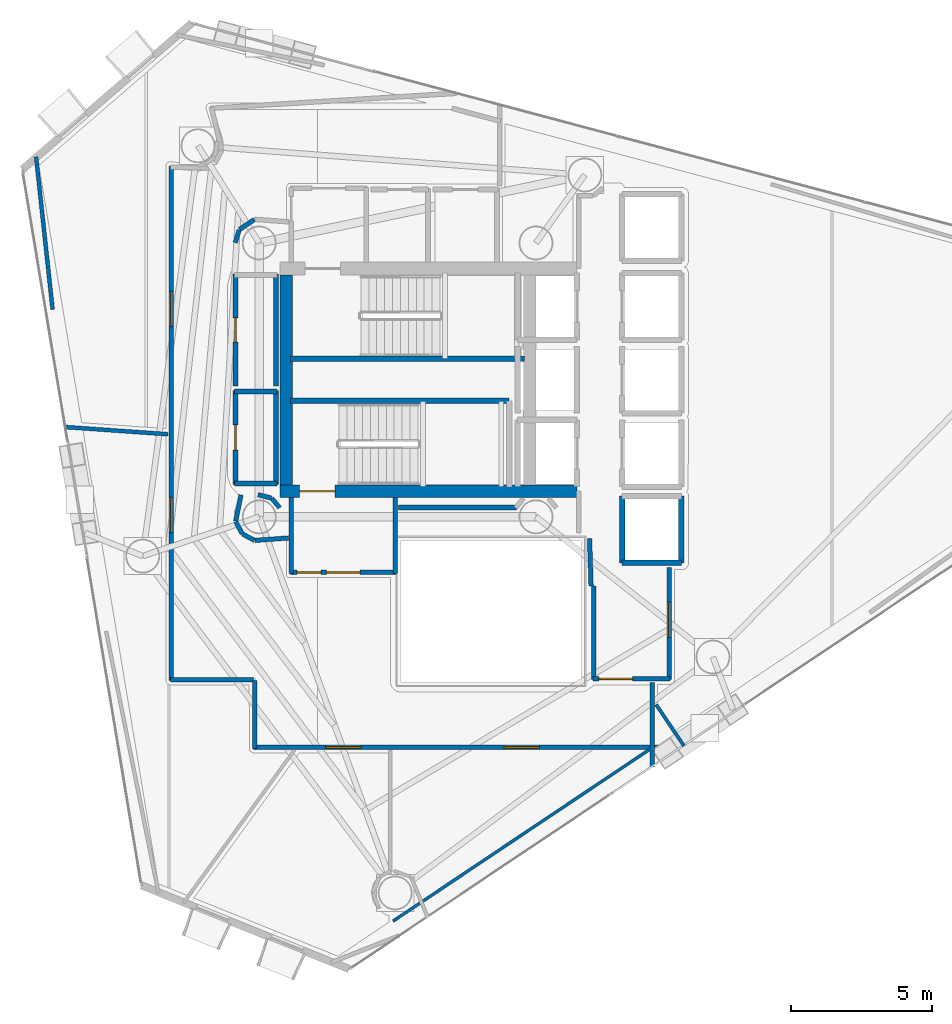
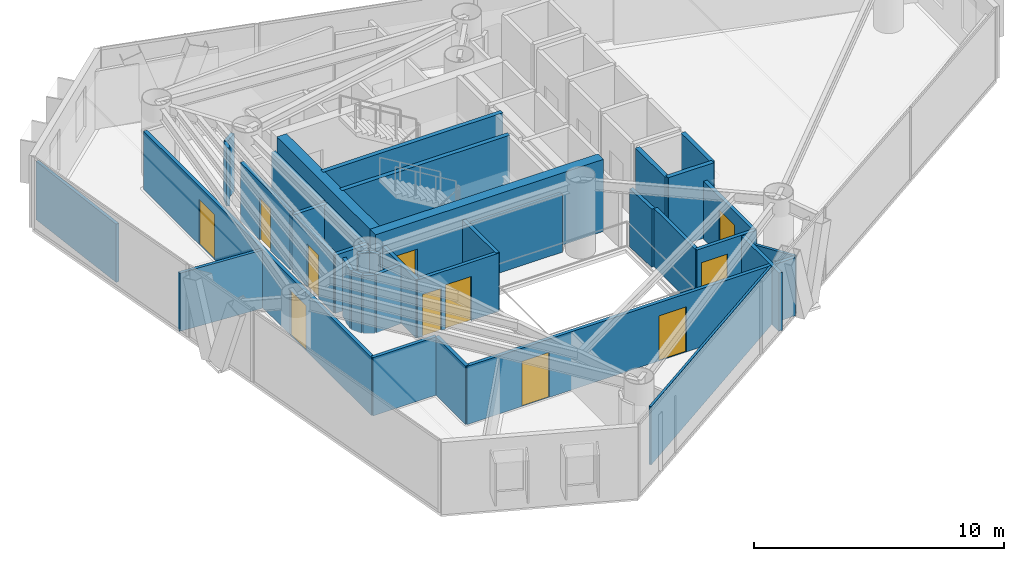
# One storey, part 16 of 21: 38 walls, 11 doors, 11 openings.
"""IFC4 building model written with IfcOpenShell, lengths in metres."""

from ifc_helpers import new_model, si_unit, direction, frame, frame_2d, origin, place, context, subcontext, project, spatial, rectangle, extrude, material, layer, layer_set, type_object, element, fill, save


model = new_model("IFC4")

# Units and contexts
model_context = context("Model", 3, precision=1e-05, world=origin(), true_north=direction((0.0, 1.0)))
body_context = subcontext(model_context, "Body", "Model", "MODEL_VIEW")
ifc_project = project(units=[si_unit("LENGTHUNIT", "METRE"), si_unit("AREAUNIT", "SQUARE_METRE"), si_unit("VOLUMEUNIT", "CUBIC_METRE"), si_unit("PLANEANGLEUNIT", "RADIAN"), si_unit("MASSUNIT", "GRAM", prefix="KILO")], contexts=[model_context])

# Site, building, storey
site_placement = place(None, origin())
site = spatial("IfcSite", under=ifc_project, at=site_placement, CompositionType="ELEMENT")
building_placement = place(site_placement, origin())
building = spatial("IfcBuilding", under=site, at=building_placement, Name="Qianvela Tower", CompositionType="ELEMENT")
storey_placement = place(building_placement, frame((0.0, 0.0, 189.199951171875)))
storey = spatial("IfcBuildingStorey", under=building, at=storey_placement, Name="L48", CompositionType="ELEMENT", Elevation=189.199951171875)

# Wall, opening, door
ifc_material_1 = material(Name="Concrete C50", Category="concrete")
ifc_layer_1 = layer(ifc_material_1, 0.449951171875)
ifc_layer_set_1 = layer_set([ifc_layer_1], Name="Concrete C50")
wall_type_1 = type_object("IfcWallType", Name="WT-CORE-450", PredefinedType="SHEAR", material=ifc_layer_set_1)
wall_1_placement = place(storey_placement, frame((29.330078125, 24.7548828125, 0.0), z_axis=(0.0, 0.0, 1.0), x_axis=(1.0, 0.0, 0.0)))
wall_1 = element("IfcWall", 1, at=wall_1_placement, inside=storey, type_object=wall_type_1, Name="L48 South Core Shear Wall", PredefinedType="SHEAR", context=body_context, shape_type="SweptSolid", body=[
    extrude(rectangle(XDim=10.52001953125, YDim=0.449951171875, at=frame_2d((5.260009765625, 0.0))), origin(), (0.0, 0.0, 1.0), 3.52001953125),
])
opening_1_placement = place(wall_1_placement, frame((0.695068359375, 0.0, 0.0)))
opening_1 = element("IfcOpeningElement", 2, at=opening_1_placement, cuts=wall_1, Name="Opening D-ST1", PredefinedType="OPENING", context=body_context, shape_type="SweptSolid", body=[
    extrude(rectangle(XDim=1.25, YDim=2.14990234375, at=frame_2d((0.625, 1.074951171875))), frame((0.0, 0.23486328125, 0.0), z_axis=(0.0, -1.0, 0.0), x_axis=(1.0, 0.0, 0.0)), (0.0, 0.0, 1.0), 0.469970703125),
])
ifc_material_2 = material(Name="Galvanised Fire Steel Q355B", Category="steel")
door_type_1 = type_object("IfcDoorType", Name="DT-STAIR-FD90", OperationType="NOTDEFINED", PredefinedType="DOOR", material=ifc_material_2)
door_1_placement = place(opening_1_placement, origin())
door_1 = element("IfcDoor", 3, at=door_1_placement, inside=storey, type_object=door_type_1, Name="L48 Stair ST-2 Exit Door", OperationType="SINGLE_SWING_RIGHT", OverallHeight=2.14990234375, OverallWidth=1.25, PredefinedType="DOOR", context=body_context, shape_type="SweptSolid", body=[
    extrude(rectangle(XDim=1.25, YDim=2.14990234375, at=frame_2d((0.625, 1.074951171875))), frame((0.0, 0.02490234375, 0.0), z_axis=(0.0, -1.0, 0.0), x_axis=(1.0, 0.0, 0.0)), (0.0, 0.0, 1.0), 0.050048828125),
])
fill(opening_1, door_1)

# Wall
wall_2_placement = place(storey_placement, frame((29.554931640625, 24.97998046875, 0.0), z_axis=(0.0, 0.0, 1.0), x_axis=(0.0, 1.0, 0.0)))
element("IfcWall", 4, at=wall_2_placement, inside=storey, type_object=wall_type_1, Name="L48 West Core Shear Wall", PredefinedType="SHEAR", context=body_context, shape_type="SweptSolid", body=[
    extrude(rectangle(XDim=7.43994140625, YDim=0.449951171875, at=frame_2d((3.719970703125, 0.0))), origin(), (0.0, 0.0, 1.0), 3.52001953125),
])

# Wall, openings, doors
ifc_material_3 = material(Name="Fire-Rated Gypsum and Concrete Block", Category="concrete")
ifc_layer_2 = layer(ifc_material_3, 0.159912109375)
ifc_layer_set_2 = layer_set([ifc_layer_2], Name="Fire-Rated Gypsum and Concrete Block")
wall_type_2 = type_object("IfcWallType", Name="WT-CORR-160", PredefinedType="PARTITIONING", material=ifc_layer_set_2)
wall_3_placement = place(storey_placement, frame((33.449951171875, 21.881103515625, 0.0), z_axis=(0.0, 0.0, 1.0), x_axis=(-1.0, 0.0, 0.0)))
wall_3 = element("IfcWall", 5, at=wall_3_placement, inside=storey, type_object=wall_type_2, Name="L48 Partition 5", PredefinedType="PARTITIONING", context=body_context, shape_type="SweptSolid", body=[
    extrude(rectangle(XDim=3.75, YDim=0.159912109375, at=frame_2d((1.875, 0.0))), origin(), (0.0, 0.0, 1.0), 2.840087890625),
])
opening_2_placement = place(wall_3_placement, frame((1.27490234375, 0.0, 0.0)))
opening_2 = element("IfcOpeningElement", 6, at=opening_2_placement, cuts=wall_3, Name="Opening D-LB1", PredefinedType="OPENING", context=body_context, shape_type="SweptSolid", body=[
    extrude(rectangle(XDim=1.199951171875, YDim=2.14990234375, at=frame_2d((0.60009765625, 1.074951171875))), frame((0.0, 0.08984375, 0.0), z_axis=(0.0, -1.0, 0.0), x_axis=(1.0, 0.0, 0.0)), (0.0, 0.0, 1.0), 0.179931640625),
])
opening_3_placement = place(wall_3_placement, frame((2.659912109375, 0.0, 0.0)))
opening_3 = element("IfcOpeningElement", 7, at=opening_3_placement, cuts=wall_3, Name="Opening D-LB2", PredefinedType="OPENING", context=body_context, shape_type="SweptSolid", body=[
    extrude(rectangle(XDim=0.860107421875, YDim=2.050048828125, at=frame_2d((0.43017578125, 1.02490234375))), frame((0.0, 0.08984375, 0.0), z_axis=(0.0, -1.0, 0.0), x_axis=(1.0, 0.0, 0.0)), (0.0, 0.0, 1.0), 0.179931640625),
])
ifc_material_4 = material(Name="Glazed Fire-Rated Steel Frame", Category="steel")
door_type_2 = type_object("IfcDoorType", Name="DT-LOBBY-FD90", OperationType="NOTDEFINED", PredefinedType="DOOR", material=ifc_material_4)
door_2_placement = place(opening_2_placement, origin())
door_2 = element("IfcDoor", 8, at=door_2_placement, inside=storey, type_object=door_type_2, Name="L48 Door L48 Firefighting Lobby South to L48 Floor Corridor", OperationType="SINGLE_SWING_LEFT", OverallHeight=2.14990234375, OverallWidth=1.199951171875, PredefinedType="DOOR", context=body_context, shape_type="SweptSolid", body=[
    extrude(rectangle(XDim=1.199951171875, YDim=2.14990234375, at=frame_2d((0.60009765625, 1.074951171875))), frame((0.0, 0.02490234375, 0.0), z_axis=(0.0, -1.0, 0.0), x_axis=(1.0, 0.0, 0.0)), (0.0, 0.0, 1.0), 0.050048828125),
])
fill(opening_2, door_2)
ifc_material_5 = material(Name="Insulated Steel Fire Door Q355B", Category="steel")
door_type_3 = type_object("IfcDoorType", Name="DT-LOBBY-FD90-860", OperationType="NOTDEFINED", PredefinedType="DOOR", material=ifc_material_5)
door_3_placement = place(opening_3_placement, origin())
door_3 = element("IfcDoor", 9, at=door_3_placement, inside=storey, type_object=door_type_3, Name="L48 Door L48 Firefighting Lobby South to L48 Floor Corridor", OperationType="SINGLE_SWING_LEFT", OverallHeight=2.050048828125, OverallWidth=0.860107421875, PredefinedType="DOOR", context=body_context, shape_type="SweptSolid", body=[
    extrude(rectangle(XDim=0.860107421875, YDim=2.050048828125, at=frame_2d((0.43017578125, 1.02490234375))), frame((0.0, 0.02490234375, 0.0), z_axis=(0.0, -1.0, 0.0), x_axis=(1.0, 0.0, 0.0)), (0.0, 0.0, 1.0), 0.050048828125),
])
fill(opening_3, door_3)

# Walls
for number, where, z_axis, x_axis, name in (
    (10, (29.73095703125, 21.85009765625, 0.0), (0.0, 0.0, 1.0), (0.0, 1.0, 0.0), "L48 Partition 6"),
    (11, (33.4189453125, 24.5419921875, 0.0), (0.0, 0.0, 1.0), (0.0, -1.0, 0.0), "L48 Partition 8"),
):
    element("IfcWall", number, at=place(storey_placement, frame(where, z_axis=z_axis, x_axis=x_axis)), inside=storey, type_object=wall_type_2, Name=name, PredefinedType="PARTITIONING", context=body_context, shape_type="SweptSolid", body=[
        extrude(rectangle(XDim=2.69189453125, YDim=0.159912109375, at=frame_2d((1.345947265625, 0.0))), origin(), (0.0, 0.0, 1.0), 2.840087890625),
    ])
wall_4_placement = place(storey_placement, frame((40.35107421875, 21.40087890625, 0.0), z_axis=(0.0, 0.0, 1.0), x_axis=(-0.031058045979, 0.999517582527, 0.0)))
element("IfcWall", 12, at=wall_4_placement, inside=storey, type_object=wall_type_2, Name="L48 Partition 9", PredefinedType="PARTITIONING", context=body_context, shape_type="SweptSolid", body=[
    extrude(rectangle(XDim=1.68212890625, YDim=0.159912109375, at=frame_2d((0.841064453125, 0.0))), origin(), (0.0, 0.0, 1.0), 2.840087890625),
])

# Wall, opening, door
wall_5_placement = place(storey_placement, frame((43.118896484375, 22.050048828125, 0.0), z_axis=(0.0, 0.0, 1.0), x_axis=(0.0, -1.0, 0.0)))
wall_5 = element("IfcWall", 13, at=wall_5_placement, inside=storey, type_object=wall_type_2, Name="L48 Partition 17", PredefinedType="PARTITIONING", context=body_context, shape_type="SweptSolid", body=[
    extrude(rectangle(XDim=3.969970703125, YDim=0.159912109375, at=frame_2d((1.98486328125, 0.0))), origin(), (0.0, 0.0, 1.0), 2.840087890625),
])
opening_4_placement = place(wall_5_placement, frame((1.219970703125, 0.0, 0.0)))
opening_4 = element("IfcOpeningElement", 14, at=opening_4_placement, cuts=wall_5, Name="Opening D-LG1", PredefinedType="OPENING", context=body_context, shape_type="SweptSolid", body=[
    extrude(rectangle(XDim=1.25, YDim=2.199951171875, at=frame_2d((0.625, 1.10009765625))), frame((0.0, 0.08984375, 0.0), z_axis=(0.0, -1.0, 0.0), x_axis=(1.0, 0.0, 0.0)), (0.0, 0.0, 1.0), 0.179931640625),
])
ifc_material_6 = material(Name="Anodised Aluminium Acoustic Glass Door", Category="aluminium")
door_type_4 = type_object("IfcDoorType", Name="DT-LOUNGE-1250", OperationType="NOTDEFINED", PredefinedType="DOOR", material=ifc_material_6)
door_4_placement = place(opening_4_placement, origin())
door_4 = element("IfcDoor", 15, at=door_4_placement, inside=storey, type_object=door_type_4, Name="L48 Door Student Bookshop Market L48-04 to L48 Lift Lobby", OperationType="SINGLE_SWING_LEFT", OverallHeight=2.199951171875, OverallWidth=1.25, PredefinedType="DOOR", context=body_context, shape_type="SweptSolid", body=[
    extrude(rectangle(XDim=1.25, YDim=2.199951171875, at=frame_2d((0.625, 1.10009765625))), frame((0.0, 0.02490234375, 0.0), z_axis=(0.0, -1.0, 0.0), x_axis=(1.0, 0.0, 0.0)), (0.0, 0.0, 1.0), 0.050048828125),
])
fill(opening_4, door_4)

wall_6_placement = place(storey_placement, frame((43.14990234375, 18.111083984375, 0.0), z_axis=(0.0, 0.0, 1.0), x_axis=(-1.0, 0.0, 0.0)))
wall_6 = element("IfcWall", 16, at=wall_6_placement, inside=storey, type_object=wall_type_2, Name="L48 Partition 18", PredefinedType="PARTITIONING", context=body_context, shape_type="SweptSolid", body=[
    extrude(rectangle(XDim=2.72998046875, YDim=0.159912109375, at=frame_2d((1.364990234375, 0.0))), origin(), (0.0, 0.0, 1.0), 2.840087890625),
])
opening_5_placement = place(wall_6_placement, frame((1.324951171875, 0.0, 0.0)))
opening_5 = element("IfcOpeningElement", 17, at=opening_5_placement, cuts=wall_6, Name="Opening D-LB1", PredefinedType="OPENING", context=body_context, shape_type="SweptSolid", body=[
    extrude(rectangle(XDim=1.199951171875, YDim=2.14990234375, at=frame_2d((0.60009765625, 1.074951171875))), frame((0.0, 0.08984375, 0.0), z_axis=(0.0, -1.0, 0.0), x_axis=(1.0, 0.0, 0.0)), (0.0, 0.0, 1.0), 0.179931640625),
])
door_5_placement = place(opening_5_placement, origin())
door_5 = element("IfcDoor", 18, at=door_5_placement, inside=storey, type_object=door_type_2, Name="L48 Door L48 Lift Lobby to L48 Floor Corridor", OperationType="SINGLE_SWING_RIGHT", OverallHeight=2.14990234375, OverallWidth=1.199951171875, PredefinedType="DOOR", context=body_context, shape_type="SweptSolid", body=[
    extrude(rectangle(XDim=1.199951171875, YDim=2.14990234375, at=frame_2d((0.60009765625, 1.074951171875))), frame((0.0, 0.02490234375, 0.0), z_axis=(0.0, -1.0, 0.0), x_axis=(1.0, 0.0, 0.0)), (0.0, 0.0, 1.0), 0.050048828125),
])
fill(opening_5, door_5)

# Walls
wall_7_placement = place(storey_placement, frame((40.450927734375, 18.080078125, 0.0), z_axis=(0.0, 0.0, 1.0), x_axis=(0.0, 1.0, 0.0)))
element("IfcWall", 19, at=wall_7_placement, inside=storey, type_object=wall_type_2, Name="L48 Partition 19 seg 1", PredefinedType="PARTITIONING", context=body_context, shape_type="SweptSolid", body=[
    extrude(rectangle(XDim=3.31982421875, YDim=0.159912109375, at=frame_2d((1.659912109375, 0.0))), origin(), (0.0, 0.0, 1.0), 2.840087890625),
])
wall_8_placement = place(storey_placement, frame((29.321044921875, 24.169921875, 0.0), z_axis=(0.0, 0.0, 1.0), x_axis=(-0.638008265708, 0.770029514296, 0.0)))
element("IfcWall", 20, at=wall_8_placement, inside=storey, type_object=wall_type_2, Name="L48 Partition 40", PredefinedType="PARTITIONING", context=body_context, shape_type="SweptSolid", body=[
    extrude(rectangle(XDim=0.430908203125, YDim=0.159912109375, at=frame_2d((0.21533203125, 0.0))), origin(), (0.0, 0.0, 1.0), 2.840087890625),
])
wall_9_placement = place(storey_placement, frame((29.030029296875, 24.511962890625, 0.0), z_axis=(0.0, 0.0, 1.0), x_axis=(-0.967681003213, 0.252177469296, 0.0)))
element("IfcWall", 21, at=wall_9_placement, inside=storey, type_object=wall_type_2, Name="L48 Partition 41", PredefinedType="PARTITIONING", context=body_context, shape_type="SweptSolid", body=[
    extrude(rectangle(XDim=0.488037109375, YDim=0.159912109375, at=frame_2d((0.244140625, 0.0))), origin(), (0.0, 0.0, 1.0), 2.840087890625),
])
wall_10_placement = place(storey_placement, frame((37.70263671875, 24.180908203125, 0.0), z_axis=(0.0, 0.0, 1.0), x_axis=(-1.0, 0.0, 0.0)))
element("IfcWall", 22, at=wall_10_placement, inside=storey, type_object=wall_type_2, Name="L48 Partition 53", PredefinedType="PARTITIONING", context=body_context, shape_type="SweptSolid", body=[
    extrude(rectangle(XDim=4.172607421875, YDim=0.159912109375, at=frame_2d((2.08642578125, 0.0))), origin(), (0.0, 0.0, 1.0), 2.840087890625),
])
wall_11_placement = place(storey_placement, frame((28.4228515625, 34.3798828125, 0.0), z_axis=(0.0, 0.0, 1.0), x_axis=(-0.831571279003, -0.555418047903, 0.0)))
element("IfcWall", 23, at=wall_11_placement, inside=storey, type_object=wall_type_2, Name="L48 Partition 61", PredefinedType="PARTITIONING", context=body_context, shape_type="SweptSolid", body=[
    extrude(rectangle(XDim=0.627685546875, YDim=0.159912109375, at=frame_2d((0.31396484375, 0.0))), origin(), (0.0, 0.0, 1.0), 2.840087890625),
])
wall_12_placement = place(storey_placement, frame((27.888427734375, 34.0146484375, 0.0), z_axis=(0.0, 0.0, 1.0), x_axis=(-0.290263585829, -0.956946733492, 0.0)))
element("IfcWall", 24, at=wall_12_placement, inside=storey, type_object=wall_type_2, Name="L48 Partition 62", PredefinedType="PARTITIONING", context=body_context, shape_type="SweptSolid", body=[
    extrude(rectangle(XDim=0.47607421875, YDim=0.159912109375, at=frame_2d((0.238037109375, 0.0))), origin(), (0.0, 0.0, 1.0), 2.840087890625),
])
wall_13_placement = place(storey_placement, frame((27.950439453125, 24.626220703125, 0.0), z_axis=(0.0, 0.0, 1.0), x_axis=(-0.195125950178, -0.980778192848, 0.0)))
element("IfcWall", 25, at=wall_13_placement, inside=storey, type_object=wall_type_2, Name="L48 Partition 66", PredefinedType="PARTITIONING", context=body_context, shape_type="SweptSolid", body=[
    extrude(rectangle(XDim=0.948486328125, YDim=0.159912109375, at=frame_2d((0.47412109375, 0.0))), origin(), (0.0, 0.0, 1.0), 2.840087890625),
])
for number, where, z_axis, x_axis, name in (
    (26, (27.768310546875, 23.67529296875, 0.0), (0.0, 0.0, 1.0), (0.471865548338, -0.881670519123, 0.0), "L48 Partition 67"),
    (27, (28.005615234375, 23.242919921875, 0.0), (0.0, 0.0, 1.0), (0.881670519123, -0.471865548338, 0.0), "L48 Partition 68"),
):
    element("IfcWall", number, at=place(storey_placement, frame(where, z_axis=z_axis, x_axis=x_axis)), inside=storey, type_object=wall_type_2, Name=name, PredefinedType="PARTITIONING", context=body_context, shape_type="SweptSolid", body=[
        extrude(rectangle(XDim=0.47607421875, YDim=0.159912109375, at=frame_2d((0.238037109375, 0.0))), origin(), (0.0, 0.0, 1.0), 2.840087890625),
    ])
wall_14_placement = place(storey_placement, frame((28.4423828125, 23.014892578125, 0.0), z_axis=(0.0, 0.0, 1.0), x_axis=(0.99740683837, 0.07196942943, 0.0)))
element("IfcWall", 28, at=wall_14_placement, inside=storey, type_object=wall_type_2, Name="L48 Partition 69", PredefinedType="PARTITIONING", context=body_context, shape_type="SweptSolid", body=[
    extrude(rectangle(XDim=1.200927734375, YDim=0.159912109375, at=frame_2d((0.6005859375, 0.0))), origin(), (0.0, 0.0, 1.0), 2.840087890625),
])
wall_15_placement = place(storey_placement, frame((42.51904296875, 17.97998046875, 0.0), z_axis=(0.0, 0.0, 1.0), x_axis=(0.0, -1.0, 0.0)))
element("IfcWall", 29, at=wall_15_placement, inside=storey, type_object=wall_type_2, Name="L48 Partition 73", PredefinedType="PARTITIONING", context=body_context, shape_type="SweptSolid", body=[
    extrude(rectangle(XDim=2.9873046875, YDim=0.159912109375, at=frame_2d((1.49365234375, 0.0))), origin(), (0.0, 0.0, 1.0), 2.840087890625),
])

# Wall, openings, doors
wall_16_placement = place(storey_placement, frame((43.55224609375, 15.69091796875, 0.0), z_axis=(0.0, 0.0, 1.0), x_axis=(-0.999999781798, -0.00066060826, 0.0)))
wall_16 = element("IfcWall", 30, at=wall_16_placement, inside=storey, type_object=wall_type_2, Name="L48 Partition 74", PredefinedType="PARTITIONING", context=body_context, shape_type="SweptSolid", body=[
    extrude(rectangle(XDim=15.15234375, YDim=0.159912109375, at=frame_2d((7.576171875, 0.0))), origin(), (0.0, 0.0, 1.0), 2.840087890625),
])
opening_6_placement = place(wall_16_placement, frame((11.356201171875, 0.0, 0.0)))
opening_6 = element("IfcOpeningElement", 31, at=opening_6_placement, cuts=wall_16, Name="Opening D-LG1", PredefinedType="OPENING", context=body_context, shape_type="SweptSolid", body=[
    extrude(rectangle(XDim=1.25, YDim=2.199951171875, at=frame_2d((0.625, 1.10009765625))), frame((0.0, 0.08984375, 0.0), z_axis=(0.0, -1.0, 0.0), x_axis=(1.0, 0.0, 0.0)), (0.0, 0.0, 1.0), 0.179931640625),
])
opening_7_placement = place(wall_16_placement, frame((5.033447265625, 0.0, 0.0)))
opening_7 = element("IfcOpeningElement", 32, at=opening_7_placement, cuts=wall_16, Name="Opening D-LG1", PredefinedType="OPENING", context=body_context, shape_type="SweptSolid", body=[
    extrude(rectangle(XDim=1.25, YDim=2.199951171875, at=frame_2d((0.625, 1.10009765625))), frame((0.0, 0.08984375, 0.0), z_axis=(0.0, -1.0, 0.0), x_axis=(1.0, 0.0, 0.0)), (0.0, 0.0, 1.0), 0.179931640625),
])
door_6_placement = place(opening_6_placement, origin())
door_6 = element("IfcDoor", 33, at=door_6_placement, inside=storey, type_object=door_type_4, Name="L48 Door Social Sitting Lounge L48-02 to L48 Floor Corridor", OperationType="SINGLE_SWING_LEFT", OverallHeight=2.199951171875, OverallWidth=1.25, PredefinedType="DOOR", context=body_context, shape_type="SweptSolid", body=[
    extrude(rectangle(XDim=1.25, YDim=2.199951171875, at=frame_2d((0.625, 1.10009765625))), frame((0.0, 0.02490234375, 0.0), z_axis=(0.0, -1.0, 0.0), x_axis=(1.0, 0.0, 0.0)), (0.0, 0.0, 1.0), 0.050048828125),
])
fill(opening_6, door_6)
door_7_placement = place(opening_7_placement, origin())
door_7 = element("IfcDoor", 34, at=door_7_placement, inside=storey, type_object=door_type_4, Name="L48 Door Campus Convenience Shop L48-03 to L48 Floor Corridor", OperationType="SINGLE_SWING_RIGHT", OverallHeight=2.199951171875, OverallWidth=1.25, PredefinedType="DOOR", context=body_context, shape_type="SweptSolid", body=[
    extrude(rectangle(XDim=1.25, YDim=2.199951171875, at=frame_2d((0.625, 1.10009765625))), frame((0.0, 0.02490234375, 0.0), z_axis=(0.0, -1.0, 0.0), x_axis=(1.0, 0.0, 0.0)), (0.0, 0.0, 1.0), 0.050048828125),
])
fill(opening_7, door_7)

# Walls
wall_17_placement = place(storey_placement, frame((28.430908203125, 15.64990234375, 0.0), z_axis=(0.0, 0.0, 1.0), x_axis=(0.0, 1.0, 0.0)))
element("IfcWall", 35, at=wall_17_placement, inside=storey, type_object=wall_type_2, Name="L48 Partition 75", PredefinedType="PARTITIONING", context=body_context, shape_type="SweptSolid", body=[
    extrude(rectangle(XDim=2.400146484375, YDim=0.159912109375, at=frame_2d((1.2001953125, 0.0))), origin(), (0.0, 0.0, 1.0), 2.840087890625),
])
wall_18_placement = place(storey_placement, frame((28.39990234375, 18.0810546875, 0.0), z_axis=(0.0, 0.0, 1.0), x_axis=(-1.0, 0.0, 0.0)))
element("IfcWall", 36, at=wall_18_placement, inside=storey, type_object=wall_type_2, Name="L48 Partition 76", PredefinedType="PARTITIONING", context=body_context, shape_type="SweptSolid", body=[
    extrude(rectangle(XDim=2.949951171875, YDim=0.159912109375, at=frame_2d((1.47509765625, 0.0))), origin(), (0.0, 0.0, 1.0), 2.840087890625),
])

# Wall, openings, doors
wall_19_placement = place(storey_placement, frame((25.48095703125, 18.050048828125, 0.0), z_axis=(0.0, 0.0, 1.0), x_axis=(0.0, 1.0, 0.0)))
wall_19 = element("IfcWall", 37, at=wall_19_placement, inside=storey, type_object=wall_type_2, Name="L48 Partition 77", PredefinedType="PARTITIONING", context=body_context, shape_type="SweptSolid", body=[
    extrude(rectangle(XDim=18.218505859375, YDim=0.159912109375, at=frame_2d((9.109375, 0.0))), origin(), (0.0, 0.0, 1.0), 2.840087890625),
])
opening_8_placement = place(wall_19_placement, frame((5.24365234375, 0.0, 0.0)))
opening_8 = element("IfcOpeningElement", 38, at=opening_8_placement, cuts=wall_19, Name="Opening D-LG1", PredefinedType="OPENING", context=body_context, shape_type="SweptSolid", body=[
    extrude(rectangle(XDim=1.25, YDim=2.199951171875, at=frame_2d((0.625, 1.10009765625))), frame((0.0, 0.08984375, 0.0), z_axis=(0.0, -1.0, 0.0), x_axis=(1.0, 0.0, 0.0)), (0.0, 0.0, 1.0), 0.179931640625),
])
opening_9_placement = place(wall_19_placement, frame((12.533935546875, 0.0, 0.0)))
opening_9 = element("IfcOpeningElement", 39, at=opening_9_placement, cuts=wall_19, Name="Opening D-LG1", PredefinedType="OPENING", context=body_context, shape_type="SweptSolid", body=[
    extrude(rectangle(XDim=1.25, YDim=2.199951171875, at=frame_2d((0.625, 1.10009765625))), frame((0.0, 0.08984375, 0.0), z_axis=(0.0, -1.0, 0.0), x_axis=(1.0, 0.0, 0.0)), (0.0, 0.0, 1.0), 0.179931640625),
])
door_8_placement = place(opening_8_placement, origin())
door_8 = element("IfcDoor", 40, at=door_8_placement, inside=storey, type_object=door_type_4, Name="L48 Door Panoramic Study Lounge L48-01 to L48 Floor Corridor", OperationType="SINGLE_SWING_RIGHT", OverallHeight=2.199951171875, OverallWidth=1.25, PredefinedType="DOOR", context=body_context, shape_type="SweptSolid", body=[
    extrude(rectangle(XDim=1.25, YDim=2.199951171875, at=frame_2d((0.625, 1.10009765625))), frame((0.0, 0.02490234375, 0.0), z_axis=(0.0, -1.0, 0.0), x_axis=(1.0, 0.0, 0.0)), (0.0, 0.0, 1.0), 0.050048828125),
])
fill(opening_8, door_8)
door_9_placement = place(opening_9_placement, origin())
door_9 = element("IfcDoor", 41, at=door_9_placement, inside=storey, type_object=door_type_4, Name="L48 Door Stationery Supply Boutique L48-05 to L48 Floor Corridor", OperationType="SINGLE_SWING_RIGHT", OverallHeight=2.199951171875, OverallWidth=1.25, PredefinedType="DOOR", context=body_context, shape_type="SweptSolid", body=[
    extrude(rectangle(XDim=1.25, YDim=2.199951171875, at=frame_2d((0.625, 1.10009765625))), frame((0.0, 0.02490234375, 0.0), z_axis=(0.0, -1.0, 0.0), x_axis=(1.0, 0.0, 0.0)), (0.0, 0.0, 1.0), 0.050048828125),
])
fill(opening_9, door_9)

# Walls
ifc_material_7 = material(Name="Lightweight Gypsum Room Partition")
ifc_layer_3 = layer(ifc_material_7, 0.10498046875)
ifc_layer_set_3 = layer_set([ifc_layer_3], Name="Lightweight Gypsum Room Partition")
wall_type_3 = type_object("IfcWallType", Name="WT-PART-105", PredefinedType="PARTITIONING", material=ifc_layer_set_3)
wall_20_placement = place(storey_placement, frame((42.4130859375, 15.60498046875, 0.0), z_axis=(0.0, 0.0, 1.0), x_axis=(-0.831051244533, -0.556195854857, 0.0)))
element("IfcWall", 42, at=wall_20_placement, inside=storey, type_object=wall_type_3, Name="L48 Partition 103", PredefinedType="PARTITIONING", context=body_context, shape_type="SweptSolid", body=[
    extrude(rectangle(XDim=10.91748046875, YDim=0.10498046875, at=frame_2d((5.458740234375, 0.0))), origin(), (0.0, 0.0, 1.0), 2.840087890625),
])
ifc_material_8 = material(Name="Insulated Gypsum Stud Partition")
ifc_layer_4 = layer(ifc_material_8, 0.1201171875)
ifc_layer_set_4 = layer_set([ifc_layer_4], Name="Insulated Gypsum Stud Partition")
wall_type_4 = type_object("IfcWallType", Name="WT-PART-120", PredefinedType="PARTITIONING", material=ifc_layer_set_4)
wall_21_placement = place(storey_placement, frame((43.640380859375, 15.739013671875, 0.0), z_axis=(0.0, 0.0, 1.0), x_axis=(-0.558754040284, 0.829333420565, 0.0)))
element("IfcWall", 43, at=wall_21_placement, inside=storey, type_object=wall_type_4, Name="L48 Partition 117", PredefinedType="PARTITIONING", context=body_context, shape_type="SweptSolid", body=[
    extrude(rectangle(XDim=1.76220703125, YDim=0.1201171875, at=frame_2d((0.881103515625, 0.0))), origin(), (0.0, 0.0, 1.0), 2.840087890625),
])

# Wall, opening, door
ifc_material_9 = material(Name="Moisture-Resistant Acoustic Plumbing Wall")
ifc_layer_5 = layer(ifc_material_9, 0.175048828125)
ifc_layer_set_5 = layer_set([ifc_layer_5], Name="Moisture-Resistant Acoustic Plumbing Wall")
wall_type_5 = type_object("IfcWallType", Name="WT-PLUMB-175", PredefinedType="PLUMBINGWALL", material=ifc_layer_set_5)
wall_22_placement = place(storey_placement, frame((27.7509765625, 25.0, 0.0), z_axis=(0.0, 0.0, 1.0), x_axis=(0.0, 1.0, 0.0)))
wall_22 = element("IfcWall", 44, at=wall_22_placement, inside=storey, type_object=wall_type_5, Name="L48 Partition 28", PredefinedType="PLUMBINGWALL", context=body_context, shape_type="SweptSolid", body=[
    extrude(rectangle(XDim=3.320068359375, YDim=0.175048828125, at=frame_2d((1.66015625, 0.0))), origin(), (0.0, 0.0, 1.0), 2.840087890625),
])
opening_10_placement = place(wall_22_placement, frame((1.2099609375, 0.0, 0.0)))
opening_10 = element("IfcOpeningElement", 45, at=opening_10_placement, cuts=wall_22, Name="Opening D-KT1", PredefinedType="OPENING", context=body_context, shape_type="SweptSolid", body=[
    extrude(rectangle(XDim=0.89990234375, YDim=2.10009765625, at=frame_2d((0.449951171875, 1.050048828125))), frame((0.0, 0.097412109375, 0.0), z_axis=(0.0, -1.0, 0.0), x_axis=(1.0, 0.0, 0.0)), (0.0, 0.0, 1.0), 0.195068359375),
])
ifc_material_10 = material(Name="Glazed Timber Kitchen Door", Category="wood")
door_type_5 = type_object("IfcDoorType", Name="DT-KITCH-900", OperationType="NOTDEFINED", PredefinedType="DOOR", material=ifc_material_10)
door_10_placement = place(opening_10_placement, origin())
door_10 = element("IfcDoor", 46, at=door_10_placement, inside=storey, type_object=door_type_5, Name="L48 Door L48 Core Tea Pantry West to L48 Floor Corridor", OperationType="SINGLE_SWING_LEFT", OverallHeight=2.10009765625, OverallWidth=0.89990234375, PredefinedType="DOOR", context=body_context, shape_type="SweptSolid", body=[
    extrude(rectangle(XDim=0.89990234375, YDim=2.10009765625, at=frame_2d((0.449951171875, 1.050048828125))), frame((0.0, 0.02490234375, 0.0), z_axis=(0.0, -1.0, 0.0), x_axis=(1.0, 0.0, 0.0)), (0.0, 0.0, 1.0), 0.050048828125),
])
fill(opening_10, door_10)

# Walls
wall_23_placement = place(storey_placement, frame((27.719970703125, 28.2890625, 0.0), z_axis=(0.0, 0.0, 1.0), x_axis=(1.0, 0.0, 0.0)))
element("IfcWall", 47, at=wall_23_placement, inside=storey, type_object=wall_type_5, Name="L48 Partition 29", PredefinedType="PLUMBINGWALL", context=body_context, shape_type="SweptSolid", body=[
    extrude(rectangle(XDim=1.5, YDim=0.175048828125, at=frame_2d((0.75, 0.0))), origin(), (0.0, 0.0, 1.0), 2.840087890625),
])
wall_24_placement = place(storey_placement, frame((29.18896484375, 28.320068359375, 0.0), z_axis=(0.0, 0.0, 1.0), x_axis=(0.0, -1.0, 0.0)))
element("IfcWall", 48, at=wall_24_placement, inside=storey, type_object=wall_type_5, Name="L48 Partition 30", PredefinedType="PLUMBINGWALL", context=body_context, shape_type="SweptSolid", body=[
    extrude(rectangle(XDim=3.320068359375, YDim=0.175048828125, at=frame_2d((1.66015625, 0.0))), origin(), (0.0, 0.0, 1.0), 2.840087890625),
])
wall_25_placement = place(storey_placement, frame((29.219970703125, 25.031005859375, 0.0), z_axis=(0.0, 0.0, 1.0), x_axis=(-1.0, 0.0, 0.0)))
element("IfcWall", 49, at=wall_25_placement, inside=storey, type_object=wall_type_5, Name="L48 Partition 31", PredefinedType="PLUMBINGWALL", context=body_context, shape_type="SweptSolid", body=[
    extrude(rectangle(XDim=1.5, YDim=0.175048828125, at=frame_2d((0.75, 0.0))), origin(), (0.0, 0.0, 1.0), 2.840087890625),
])

# Wall, opening, door
wall_26_placement = place(storey_placement, frame((27.7509765625, 28.47998046875, 0.0), z_axis=(0.0, 0.0, 1.0), x_axis=(0.0, 1.0, 0.0)))
wall_26 = element("IfcWall", 50, at=wall_26_placement, inside=storey, type_object=wall_type_5, Name="L48 Partition 32", PredefinedType="PLUMBINGWALL", context=body_context, shape_type="SweptSolid", body=[
    extrude(rectangle(XDim=3.969970703125, YDim=0.175048828125, at=frame_2d((1.98486328125, 0.0))), origin(), (0.0, 0.0, 1.0), 2.840087890625),
])
opening_11_placement = place(wall_26_placement, frame((1.554931640625, 0.0, 0.0)))
opening_11 = element("IfcOpeningElement", 51, at=opening_11_placement, cuts=wall_26, Name="Opening D-WC1", PredefinedType="OPENING", context=body_context, shape_type="SweptSolid", body=[
    extrude(rectangle(XDim=0.860107421875, YDim=2.050048828125, at=frame_2d((0.43017578125, 1.02490234375))), frame((0.0, 0.097412109375, 0.0), z_axis=(0.0, -1.0, 0.0), x_axis=(1.0, 0.0, 0.0)), (0.0, 0.0, 1.0), 0.195068359375),
])
ifc_material_11 = material(Name="Moisture-Sealed Acoustic Timber Door", Category="wood")
door_type_6 = type_object("IfcDoorType", Name="DT-WC-860", OperationType="NOTDEFINED", PredefinedType="DOOR", material=ifc_material_11)
door_11_placement = place(opening_11_placement, origin())
door_11 = element("IfcDoor", 52, at=door_11_placement, inside=storey, type_object=door_type_6, Name="L48 Door L48 Accessible WC to L48 Floor Corridor", OperationType="SINGLE_SWING_RIGHT", OverallHeight=2.050048828125, OverallWidth=0.860107421875, PredefinedType="DOOR", context=body_context, shape_type="SweptSolid", body=[
    extrude(rectangle(XDim=0.860107421875, YDim=2.050048828125, at=frame_2d((0.43017578125, 1.02490234375))), frame((0.0, 0.02490234375, 0.0), z_axis=(0.0, -1.0, 0.0), x_axis=(1.0, 0.0, 0.0)), (0.0, 0.0, 1.0), 0.050048828125),
])
fill(opening_11, door_11)

# Walls
wall_27_placement = place(storey_placement, frame((29.18896484375, 32.449951171875, 0.0), z_axis=(0.0, 0.0, 1.0), x_axis=(0.0, -1.0, 0.0)))
element("IfcWall", 53, at=wall_27_placement, inside=storey, type_object=wall_type_5, Name="L48 Partition 34", PredefinedType="PLUMBINGWALL", context=body_context, shape_type="SweptSolid", body=[
    extrude(rectangle(XDim=3.969970703125, YDim=0.175048828125, at=frame_2d((1.98486328125, 0.0))), origin(), (0.0, 0.0, 1.0), 2.840087890625),
])
ifc_material_12 = material(Name="Acoustic Double Gypsum Stud Partition")
ifc_layer_6 = layer(ifc_material_12, 0.139892578125)
ifc_layer_set_6 = layer_set([ifc_layer_6], Name="Acoustic Double Gypsum Stud Partition")
wall_type_6 = type_object("IfcWallType", Name="WT-ROOM-140", PredefinedType="PARTITIONING", material=ifc_layer_set_6)
wall_28_placement = place(storey_placement, frame((21.708251953125, 27.031005859375, 0.0), z_axis=(0.0, 0.0, 1.0), x_axis=(0.997564989829, -0.06974303598, 0.0)))
element("IfcWall", 54, at=wall_28_placement, inside=storey, type_object=wall_type_6, Name="L48 Partition 80", PredefinedType="PARTITIONING", context=body_context, shape_type="SweptSolid", body=[
    extrude(rectangle(XDim=3.668701171875, YDim=0.139892578125, at=frame_2d((1.83447265625, 0.0))), origin(), (0.0, 0.0, 1.0), 2.840087890625),
])
wall_29_placement = place(storey_placement, frame((21.27880859375, 31.197021484375, 0.0), z_axis=(0.0, 0.0, 1.0), x_axis=(-0.107360687826, 0.994220137952, 0.0)))
element("IfcWall", 55, at=wall_29_placement, inside=storey, type_object=wall_type_6, Name="L48 Partition 131 seg 1", PredefinedType="PARTITIONING", context=body_context, shape_type="SweptSolid", body=[
    extrude(rectangle(XDim=5.437255859375, YDim=0.139892578125, at=frame_2d((2.71875, 0.0))), origin(), (0.0, 0.0, 1.0), 2.840087890625),
])
ifc_material_13 = material(Name="Concrete C50", Category="concrete")
ifc_layer_7 = layer(ifc_material_13, 0.199951171875)
ifc_layer_set_7 = layer_set([ifc_layer_7], Name="Concrete C50")
wall_type_7 = type_object("IfcWallType", Name="WT-SHAFT-200", PredefinedType="SOLIDWALL", material=ifc_layer_set_7)
wall_30_placement = place(storey_placement, frame((29.699951171875, 29.449951171875, 0.0), z_axis=(0.0, 0.0, 1.0), x_axis=(1.0, 0.0, 0.0)))
element("IfcWall", 56, at=wall_30_placement, inside=storey, type_object=wall_type_7, Name="L48 Stair ST-1 South Wall", PredefinedType="SOLIDWALL", context=body_context, shape_type="SweptSolid", body=[
    extrude(rectangle(XDim=8.300048828125, YDim=0.199951171875, at=frame_2d((4.14990234375, 0.0))), origin(), (0.0, 0.0, 1.0), 3.52001953125),
])
wall_31_placement = place(storey_placement, frame((29.699951171875, 27.9599609375, 0.0), z_axis=(0.0, 0.0, 1.0), x_axis=(1.0, 0.0, 0.0)))
element("IfcWall", 57, at=wall_31_placement, inside=storey, type_object=wall_type_7, Name="L48 Stair ST-2 North Wall", PredefinedType="SOLIDWALL", context=body_context, shape_type="SweptSolid", body=[
    extrude(rectangle(XDim=7.75, YDim=0.199951171875, at=frame_2d((3.875, 0.0))), origin(), (0.0, 0.0, 1.0), 3.52001953125),
])
for number, where, z_axis, x_axis, name in (
    (58, (43.550048828125, 22.219970703125, 0.0), (0.0, 0.0, 1.0), (0.0, 1.0, 0.0), "L48 Lift PL-H2 E Shaft Wall"),
    (59, (41.449951171875, 22.219970703125, 0.0), (0.0, 0.0, 1.0), (0.0, 1.0, 0.0), "L48 Lift PL-H2 W Shaft Wall"),
):
    element("IfcWall", number, at=place(storey_placement, frame(where, z_axis=z_axis, x_axis=x_axis)), inside=storey, type_object=wall_type_7, Name=name, PredefinedType="SOLIDWALL", context=body_context, shape_type="SweptSolid", body=[
        extrude(rectangle(XDim=2.360107421875, YDim=0.199951171875, at=frame_2d((1.18017578125, 0.0))), origin(), (0.0, 0.0, 1.0), 3.52001953125),
    ])
wall_32_placement = place(storey_placement, frame((41.449951171875, 22.219970703125, 0.0), z_axis=(0.0, 0.0, 1.0), x_axis=(1.0, 0.0, 0.0)))
element("IfcWall", 60, at=wall_32_placement, inside=storey, type_object=wall_type_7, Name="L48 Lift PL-H2 S Shaft Wall", PredefinedType="SOLIDWALL", context=body_context, shape_type="SweptSolid", body=[
    extrude(rectangle(XDim=2.10009765625, YDim=0.199951171875, at=frame_2d((1.050048828125, 0.0))), origin(), (0.0, 0.0, 1.0), 3.52001953125),
])

save(model, "model.ifc")
